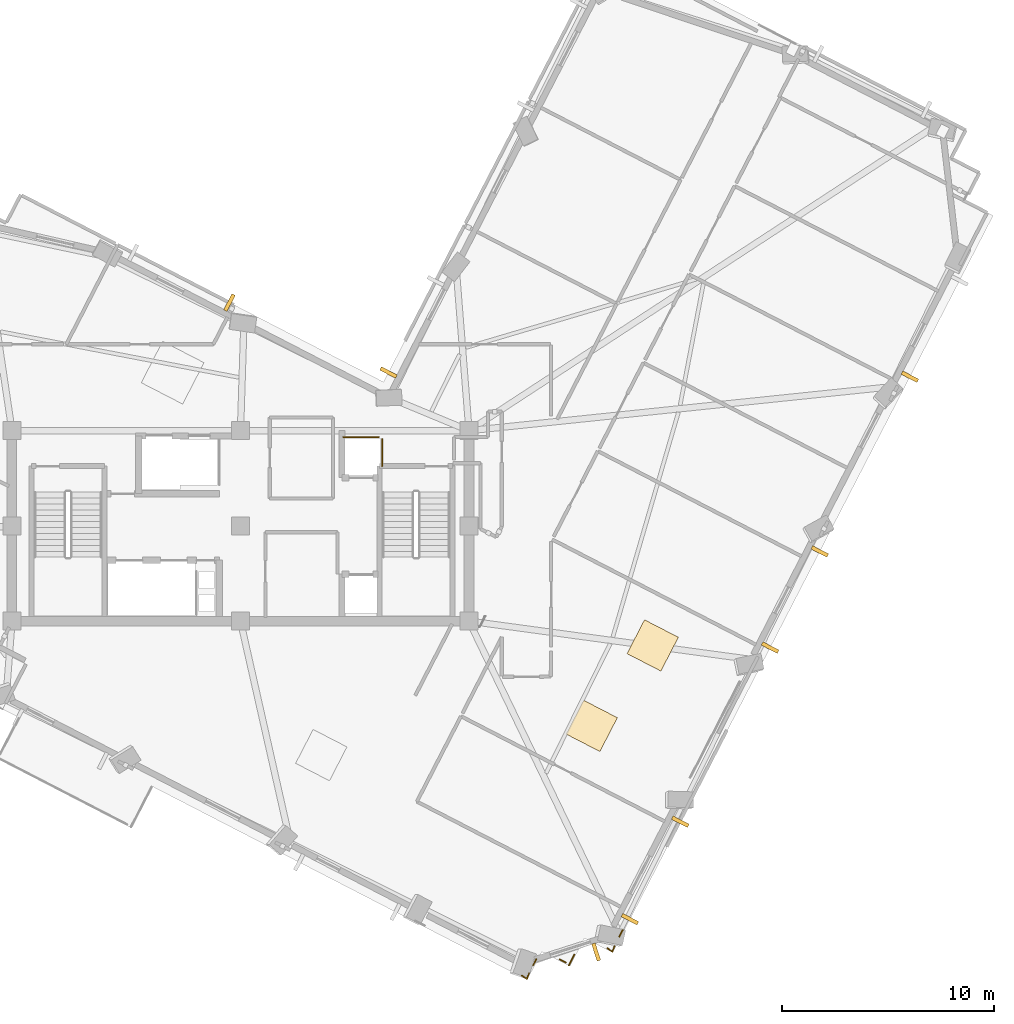
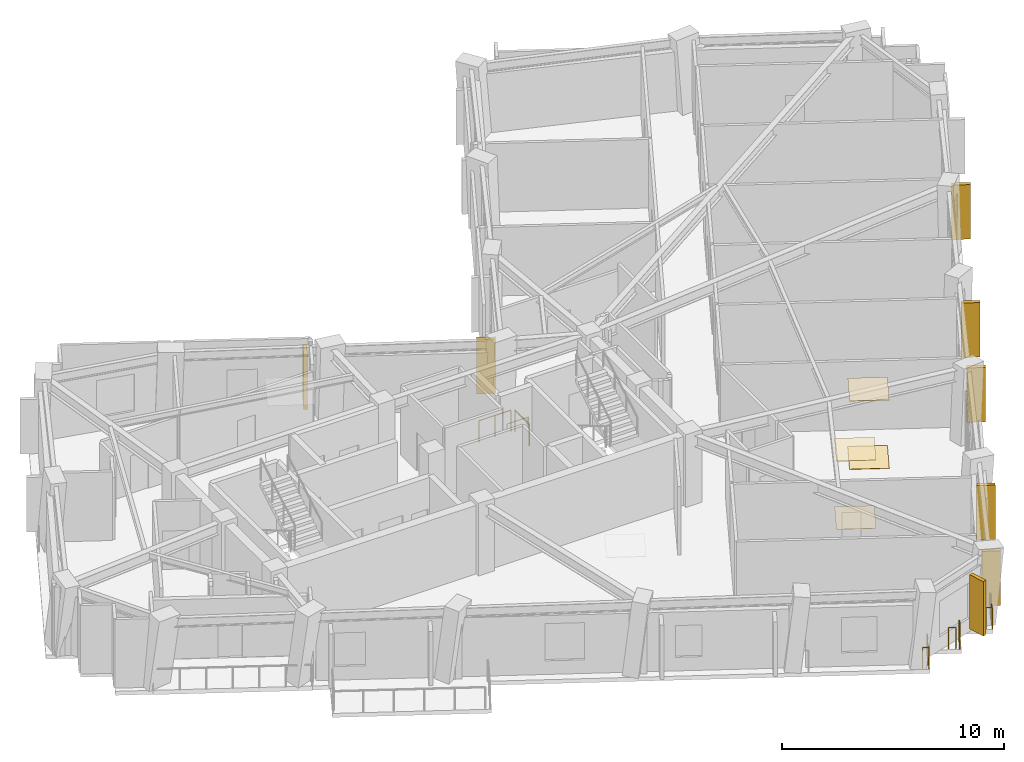
# One storey, part 10 of 11: 8 railings, 8 shading devices, 4 coverings.
"""IFC4 building model written with IfcOpenShell, lengths in metres."""

import ifcopenshell
import ifcopenshell.guid

model = None  # the IFC model being written
_history = None  # IfcOwnerHistory: only IFC2X3 demands one
_inside = {}  # id of a spatial element -> (the spatial element, [elements in it])
_under = {}  # id of a project, library or spatial element -> (it, [spatial elements below it])
_declared = {}  # id of a project -> (the project, [libraries it declares])
_typed = {}  # id of a type object -> (the type object, [elements of that type])
_made_of = {}  # id of a material, layer set ... -> (it, [elements and type objects made of it])


def new_model(schema):
    """Start an empty IFC model of exactly this schema.

    Asked for "IFC4X3", IfcOpenShell would pick the latest addendum, in which some entities
    have other attributes; the version numbers below select the first issue.
    IFC2X3 requires an IfcOwnerHistory on every rooted entity: one is made here for all.
    """
    global model, _history
    if schema == "IFC4X3":
        model = ifcopenshell.file(schema_version=(4, 3, 0, 0))
    else:
        model = ifcopenshell.file(schema=schema)
    _inside.clear()
    _under.clear()
    _declared.clear()
    _typed.clear()
    _made_of.clear()
    _history = None
    if model.schema == "IFC2X3":
        org = make("IfcOrganization", Name="unknown")
        user = make(
            "IfcPersonAndOrganization",
            ThePerson=make("IfcPerson", FamilyName="unknown"),
            TheOrganization=org,
        )
        app = make(
            "IfcApplication",
            ApplicationDeveloper=org,
            Version="unknown",
            ApplicationFullName="unknown",
            ApplicationIdentifier="unknown",
        )
        _history = make(
            "IfcOwnerHistory",
            OwningUser=user,
            OwningApplication=app,
            ChangeAction="ADDED",
            CreationDate=0,
        )
    return model


def make(cls, **values):
    """One entity of the class cls with the attributes given. An attribute that is None is left unset."""
    return model.create_entity(
        cls, **{name: value for name, value in values.items() if value is not None}
    )


def rooted(cls, **values):
    """An entity with a GlobalId (a new one), such as an element, a storey or a relation."""
    return make(cls, GlobalId=ifcopenshell.guid.new(), OwnerHistory=_history, **values)


def si_unit(unit_type, name, prefix=None):
    """IfcSIUnit, for example si_unit("LENGTHUNIT", "METRE", prefix="MILLI")."""
    return make("IfcSIUnit", UnitType=unit_type, Prefix=prefix, Name=name)


def assignment(units):
    """IfcUnitAssignment: the units of a project."""
    return None if units is None else make("IfcUnitAssignment", Units=units)


def point(xyz):
    """IfcCartesianPoint."""
    return None if xyz is None else make("IfcCartesianPoint", Coordinates=xyz)


def direction(xyz):
    """IfcDirection."""
    return None if xyz is None else make("IfcDirection", DirectionRatios=xyz)


def frame(location, z_axis=None, x_axis=None):
    """IfcAxis2Placement3D, a coordinate frame: its origin and axes. An axis left out is left unset."""
    return make(
        "IfcAxis2Placement3D",
        Location=point(location),
        Axis=direction(z_axis),
        RefDirection=direction(x_axis),
    )


def frame_2d(location, x_axis=None):
    """IfcAxis2Placement2D, a coordinate frame in the plane: its origin and x axis."""
    return make(
        "IfcAxis2Placement2D", Location=point(location), RefDirection=direction(x_axis)
    )


def origin():
    """The frame at (0, 0, 0) with its axes left unset."""
    return frame((0.0, 0.0, 0.0))


def origin_2d():
    """The frame at (0, 0) in the plane with its x axis left unset."""
    return frame_2d((0.0, 0.0))


def place(relative_to, where):
    """IfcLocalPlacement: puts the frame where relative to a parent placement (None: the world)."""
    return make(
        "IfcLocalPlacement", PlacementRelTo=relative_to, RelativePlacement=where
    )


def context(
    kind, dimensions, precision=None, world=None, true_north=None, identifier=None
):
    """IfcGeometricRepresentationContext, for example the 3D "Model" context."""
    return make(
        "IfcGeometricRepresentationContext",
        ContextIdentifier=identifier,
        ContextType=kind,
        CoordinateSpaceDimension=dimensions,
        Precision=precision,
        WorldCoordinateSystem=world,
        TrueNorth=true_north,
    )


def subcontext(parent, identifier, kind, view, scale=None):
    """IfcGeometricRepresentationSubContext, for example "Body" below "Model"."""
    return make(
        "IfcGeometricRepresentationSubContext",
        ContextIdentifier=identifier,
        ContextType=kind,
        ParentContext=parent,
        TargetScale=scale,
        TargetView=view,
    )


def project(units=None, contexts=None):
    """IfcProject with its units and contexts."""
    return rooted(
        "IfcProject",
        Name="project",
        RepresentationContexts=contexts,
        UnitsInContext=assignment(units),
    )


def spatial(cls, under=None, at=None, **own):
    """A site, building, storey or space (cls), placed at a placement, below another one or the project."""
    s = rooted(cls, ObjectPlacement=at, **own)
    if under is not None:
        _under.setdefault(under.id(), (under, []))[1].append(s)
    return s


def profile(cls, at=None, kind="AREA", **sizes):
    """A parametric profile (cls). Its sizes go by their IFC names, for example OverallWidth=200.0."""
    return make(cls, ProfileType=kind, Position=at, **sizes)


def rectangle(**sizes):
    """IfcRectangleProfileDef."""
    return profile("IfcRectangleProfileDef", **sizes)


def circle(**sizes):
    """IfcCircleProfileDef."""
    return profile("IfcCircleProfileDef", **sizes)


def extrude(swept, where, along, depth):
    """IfcExtrudedAreaSolid: the profile swept, set in the frame where, extruded along a direction by depth."""
    return make(
        "IfcExtrudedAreaSolid",
        SweptArea=swept,
        Position=where,
        ExtrudedDirection=direction(along),
        Depth=depth,
    )


def shape(context_of_items, identifier, shape_type, items):
    """IfcShapeRepresentation: the items that make up one representation, for example the "Body"."""
    return make(
        "IfcShapeRepresentation",
        ContextOfItems=context_of_items,
        RepresentationIdentifier=identifier,
        RepresentationType=shape_type,
        Items=items,
    )


def material(Name=None, Category=None):
    """IfcMaterial."""
    return make("IfcMaterial", Name=Name, Category=Category)


def layer(
    of_material, thickness, ventilated=None, Name=None, Category=None, Priority=None
):
    """IfcMaterialLayer: one layer of a wall or slab, of a material (None: an air gap)."""
    return make(
        "IfcMaterialLayer",
        Material=of_material,
        LayerThickness=thickness,
        IsVentilated=ventilated,
        Name=Name,
        Category=Category,
        Priority=Priority,
    )


def layer_set(layers, Name=None):
    """IfcMaterialLayerSet."""
    return make("IfcMaterialLayerSet", MaterialLayers=layers, LayerSetName=Name)


def made_of(thing, what):
    """Note that an element or type object is made of a material, layer set ...; save() writes the relation."""
    if what is not None:
        _made_of.setdefault(what.id(), (what, []))[1].append(thing)
    return thing


def type_object(cls, material=None, **own):
    """A type object (cls), such as IfcWallType, which elements share."""
    return made_of(rooted(cls, **own), material)


def element(
    cls,
    number,
    at=None,
    inside=None,
    cuts=None,
    type_object=None,
    material=None,
    context=None,
    identifier="Body",
    shape_type=None,
    held_by="IfcProductDefinitionShape",
    body=None,
    shapes=None,
    **own,
):
    """One element of the class cls, such as IfcWall. Its Tag is "e" and its number.

    at: its placement. inside: the storey or other place that contains it. cuts: it is an
    opening in that element (IfcRelVoidsElement). A single representation is given by context,
    identifier, shape_type and body (its items); several are given by shapes. held_by: the class
    of the entity that holds the representations. save() writes the other relations.
    """
    e = rooted(cls, Tag="e%d" % number, ObjectPlacement=at, **own)
    if body is not None:
        shapes = [shape(context, identifier, shape_type, body)]
    if shapes is not None:
        e.Representation = make(held_by, Representations=shapes)
    if inside is not None:
        _inside.setdefault(inside.id(), (inside, []))[1].append(e)
    if cuts is not None:
        rooted(
            "IfcRelVoidsElement", RelatingBuildingElement=cuts, RelatedOpeningElement=e
        )
    if type_object is not None:
        _typed.setdefault(type_object.id(), (type_object, []))[1].append(e)
    return made_of(e, material)


def aggregate(whole, parts):
    """IfcRelAggregates: a whole, such as a stair, and the parts it consists of."""
    return rooted("IfcRelAggregates", RelatingObject=whole, RelatedObjects=parts)


def save(model, path):
    """Write the relations noted so far, then the file.

    IfcRelAggregates (storeys below a building ...), IfcRelContainedInSpatialStructure (elements
    in a storey), IfcRelDefinesByType, IfcRelAssociatesMaterial and IfcRelDeclares: one each for
    every whole, place, type object, material and project.
    """
    for whole, parts in _under.values():
        aggregate(whole, parts)
    for where, things in _inside.values():
        rooted(
            "IfcRelContainedInSpatialStructure",
            RelatedElements=things,
            RelatingStructure=where,
        )
    for kind, things in _typed.values():
        rooted("IfcRelDefinesByType", RelatedObjects=things, RelatingType=kind)
    for what, things in _made_of.values():
        rooted("IfcRelAssociatesMaterial", RelatedObjects=things, RelatingMaterial=what)
    for by, libraries in _declared.values():
        rooted("IfcRelDeclares", RelatingContext=by, RelatedDefinitions=libraries)
    model.write(path)


model = new_model("IFC4")

# Units and contexts
model_context = context("Model", 3, precision=1e-05, world=origin(), true_north=direction((0.0, 1.0)))
body_context = subcontext(model_context, "Body", "Model", "MODEL_VIEW")
ifc_project = project(units=[si_unit("LENGTHUNIT", "METRE"), si_unit("AREAUNIT", "SQUARE_METRE"), si_unit("VOLUMEUNIT", "CUBIC_METRE"), si_unit("PLANEANGLEUNIT", "RADIAN"), si_unit("MASSUNIT", "GRAM", prefix="KILO")], contexts=[model_context])

# Site, building, storey
site_placement = place(None, origin())
site = spatial("IfcSite", under=ifc_project, at=site_placement, CompositionType="ELEMENT")
building_placement = place(site_placement, origin())
building = spatial("IfcBuilding", under=site, at=building_placement, Name="Gaonmaruhae Medical Tower", CompositionType="ELEMENT")
storey_placement = place(building_placement, frame((0.0, 0.0, 292.60009765625)))
storey = spatial("IfcBuildingStorey", under=building, at=storey_placement, Name="L70", CompositionType="ELEMENT", Elevation=292.60009765625)

# Coverings
ifc_material_1 = material(Name="Acoustic mineral ceiling tile", Category="finish")
ifc_layer_1 = layer(ifc_material_1, 0.02490234375)
ifc_layer_set_1 = layer_set([ifc_layer_1], Name="Acoustic mineral ceiling tile")
covering_type_1 = type_object("IfcCoveringType", Name="CLG-01 Antimicrobial Acoustic Mineral Ceiling", PredefinedType="CEILING", material=ifc_layer_set_1)
for number, where, z_axis, x_axis, name in (
    (1, (41.400146484375, 2.84716796875, 3.7548828125), (0.0, 0.0, 1.0), (0.458649554484, 0.888617232655, 0.0), "L70 Clinical Room Acoustic Ceiling 3"),
    (2, (44.2822265625, 6.648681640625, 3.7548828125), (0.0, 0.0, 1.0), (0.458649554484, 0.888617232655, 0.0), "L70 Clinical Room Acoustic Ceiling 4"),
):
    element("IfcCovering", number, at=place(storey_placement, frame(where, z_axis=z_axis, x_axis=x_axis)), inside=storey, type_object=covering_type_1, Name=name, PredefinedType="CEILING", context=body_context, shape_type="SweptSolid", body=[
        extrude(rectangle(XDim=1.800048828125, YDim=1.800048828125, at=origin_2d()), origin(), (0.0, 0.0, 1.0), 0.02490234375),
    ])
ifc_material_2 = material(Name="Seamless clinical vinyl flooring", Category="finish")
ifc_layer_2 = layer(ifc_material_2, 0.014892578125)
ifc_layer_set_2 = layer_set([ifc_layer_2], Name="Seamless clinical vinyl flooring")
covering_type_2 = type_object("IfcCoveringType", Name="FLR-01 Seamless Clinical Antistatic Vinyl Flooring", PredefinedType="FLOORING", material=ifc_layer_set_2)
for number, where, z_axis, x_axis, name in (
    (3, (41.400146484375, 2.84716796875, 0.0), (0.0, 0.0, 1.0), (0.458649554484, 0.888617232655, 0.0), "L70 Clinical Room Vinyl Flooring 3"),
    (4, (44.2822265625, 6.648681640625, 0.0), (0.0, 0.0, 1.0), (0.458649554484, 0.888617232655, 0.0), "L70 Clinical Room Vinyl Flooring 4"),
):
    element("IfcCovering", number, at=place(storey_placement, frame(where, z_axis=z_axis, x_axis=x_axis)), inside=storey, type_object=covering_type_2, Name=name, PredefinedType="FLOORING", context=body_context, shape_type="SweptSolid", body=[
        extrude(rectangle(XDim=1.800048828125, YDim=1.800048828125, at=origin_2d()), origin(), (0.0, 0.0, 1.0), 0.014892578125),
    ])

# Railings
ifc_material_3 = material(Name="Stainless steel 316L and laminated safety glass", Category="steel")
ifc_layer_3 = layer(ifc_material_3, 0.080078125)
ifc_layer_set_3 = layer_set([ifc_layer_3], Name="Stainless steel 316L and laminated safety glass")
railing_type_1 = type_object("IfcRailingType", Name="GD-120 Outdoor Terrace Safety Glass & Steel Balustrade", PredefinedType="BALUSTRADE", material=ifc_layer_set_3)
railing_1_placement = place(storey_placement, frame((42.863525390625, -6.810791015625, 0.0)))
element("IfcRailing", 5, at=railing_1_placement, inside=storey, type_object=railing_type_1, Name="L70 Perimeter Slab Edge Safety Balustrade 05", PredefinedType="BALUSTRADE", context=body_context, shape_type="SweptSolid", body=[
    extrude(circle(Radius=0.02392578125, at=origin_2d()), frame((0.0, 0.0, 1.17578125), z_axis=(-0.458679545407, -0.888601752544, 0.0), x_axis=(0.888601752544, -0.458679545407, 0.0)), (0.0, 0.0, 1.0), 0.339599609375),
    extrude(circle(Radius=0.02099609375, at=origin_2d()), origin(), (0.0, 0.0, 1.0), 1.15185546875),
    extrude(circle(Radius=0.02099609375, at=origin_2d()), frame((-0.15576171875, -0.3017578125, 0.0)), (0.0, 0.0, 1.0), 1.15185546875),
])
railing_2_placement = place(storey_placement, frame((40.5771484375, -7.97021484375, 0.0)))
element("IfcRailing", 6, at=railing_2_placement, inside=storey, type_object=railing_type_1, Name="L70 Perimeter Slab Edge Safety Balustrade 06", PredefinedType="BALUSTRADE", context=body_context, shape_type="SweptSolid", body=[
    extrude(circle(Radius=0.02392578125, at=origin_2d()), frame((0.0, 0.0, 1.17578125), z_axis=(-0.458687344677, -0.888597726665, 0.0), x_axis=(0.888597726665, -0.458687344677, 0.0)), (0.0, 0.0, 1.0), 0.56005859375),
    extrude(circle(Radius=0.02099609375, at=origin_2d()), origin(), (0.0, 0.0, 1.0), 1.15185546875),
    extrude(circle(Radius=0.02099609375, at=origin_2d()), frame((-0.2568359375, -0.49755859375, 0.0)), (0.0, 0.0, 1.0), 1.15185546875),
])
railing_3_placement = place(storey_placement, frame((40.180419921875, -8.339111328125, 0.0)))
element("IfcRailing", 7, at=railing_3_placement, inside=storey, type_object=railing_type_1, Name="L70 Perimeter Slab Edge Safety Balustrade 07", PredefinedType="BALUSTRADE", context=body_context, shape_type="SweptSolid", body=[
    extrude(circle(Radius=0.02392578125, at=origin_2d()), frame((0.0, 0.0, 1.17578125), z_axis=(-0.888983772334, 0.45793869953, 0.0), x_axis=(-0.45793869953, -0.888983772334, 0.0)), (0.0, 0.0, 1.0), 0.326904296875),
    extrude(circle(Radius=0.02099609375, at=origin_2d()), origin(), (0.0, 0.0, 1.0), 1.15185546875),
    extrude(circle(Radius=0.02099609375, at=origin_2d()), frame((-0.29052734375, 0.149658203125, 0.0)), (0.0, 0.0, 1.0), 1.15185546875),
])
railing_4_placement = place(storey_placement, frame((38.78564453125, -8.170654296875, 0.0)))
element("IfcRailing", 8, at=railing_4_placement, inside=storey, type_object=railing_type_1, Name="L70 Perimeter Slab Edge Safety Balustrade 08", PredefinedType="BALUSTRADE", context=body_context, shape_type="SweptSolid", body=[
    extrude(circle(Radius=0.02392578125, at=origin_2d()), frame((0.0, 0.0, 1.17578125), z_axis=(-0.458833261332, -0.88852239043, 0.0), x_axis=(0.88852239043, -0.458833261332, 0.0)), (0.0, 0.0, 1.0), 0.32666015625),
    extrude(circle(Radius=0.02099609375, at=origin_2d()), origin(), (0.0, 0.0, 1.0), 1.15185546875),
    extrude(circle(Radius=0.02099609375, at=origin_2d()), frame((-0.14990234375, -0.290283203125, 0.0)), (0.0, 0.0, 1.0), 1.15185546875),
])
railing_5_placement = place(storey_placement, frame((42.478759765625, -7.55615234375, 0.0)))
element("IfcRailing", 9, at=railing_5_placement, inside=storey, type_object=railing_type_1, Name="L70 Perimeter Corner Safety Balustrade 13", PredefinedType="BALUSTRADE", context=body_context, shape_type="SweptSolid", body=[
    extrude(circle(Radius=0.02392578125, at=origin_2d()), frame((0.0, 0.0, 1.17578125), z_axis=(-0.34692660925, -0.937892279419, 0.0), x_axis=(0.937892279419, -0.34692660925, 0.0)), (0.0, 0.0, 1.0), 0.287109375),
    extrude(circle(Radius=0.02392578125, at=origin_2d()), frame((-0.099609375, -0.269287109375, 1.17578125), z_axis=(-0.826119439728, 0.563495049938, 0.0), x_axis=(-0.563495049938, -0.826119439728, 0.0)), (0.0, 0.0, 1.0), 0.287353515625),
    extrude(circle(Radius=0.02099609375, at=origin_2d()), origin(), (0.0, 0.0, 1.0), 1.15185546875),
    extrude(circle(Radius=0.02099609375, at=origin_2d()), frame((-0.099609375, -0.269287109375, 0.0)), (0.0, 0.0, 1.0), 1.15185546875),
    extrude(circle(Radius=0.02099609375, at=origin_2d()), frame((-0.3369140625, -0.107421875, 0.0)), (0.0, 0.0, 1.0), 1.15185546875),
])
railing_6_placement = place(storey_placement, frame((38.43701171875, -8.845947265625, 0.0)))
element("IfcRailing", 10, at=railing_6_placement, inside=storey, type_object=railing_type_1, Name="L70 Perimeter Corner Safety Balustrade 14", PredefinedType="BALUSTRADE", context=body_context, shape_type="SweptSolid", body=[
    extrude(circle(Radius=0.02392578125, at=origin_2d()), frame((0.0, 0.0, 1.17578125), z_axis=(-0.34692660925, -0.937892279419, 0.0), x_axis=(0.937892279419, -0.34692660925, 0.0)), (0.0, 0.0, 1.0), 0.287109375),
    extrude(circle(Radius=0.02392578125, at=origin_2d()), frame((-0.099609375, -0.269287109375, 1.17578125), z_axis=(-0.826515073877, 0.562914587352, 0.0), x_axis=(-0.562914587352, -0.826515073877, 0.0)), (0.0, 0.0, 1.0), 0.287109375),
    extrude(circle(Radius=0.02099609375, at=origin_2d()), origin(), (0.0, 0.0, 1.0), 1.15185546875),
    extrude(circle(Radius=0.02099609375, at=origin_2d()), frame((-0.099609375, -0.269287109375, 0.0)), (0.0, 0.0, 1.0), 1.15185546875),
    extrude(circle(Radius=0.02099609375, at=origin_2d()), frame((-0.3369140625, -0.107666015625, 0.0)), (0.0, 0.0, 1.0), 1.15185546875),
])

# Shading devices
ifc_material_4 = material(Name="Pigmented coral precast concrete C45/55", Category="concrete")
shading_device_type = type_object("IfcShadingDeviceType", Name="SD-FIN1 Tower Vertical Coral Precast Shading Fin", PredefinedType="USERDEFINED", material=ifc_material_4)
for number, where, z_axis, x_axis, name in (
    (11, (45.583740234375, -1.68212890625, 0.13232421875), (0.0, 0.0, 1.0), (-0.458649554484, -0.888617232655, 0.0), "L70 Vertical Coral Precast Shading Fin S01"),
    (12, (43.205810546875, -6.289306640625, 0.13232421875), (0.0, 0.0, 1.0), (-0.458649554484, -0.888617232655, 0.0), "L70 Vertical Coral Precast Shading Fin S01B"),
    (13, (52.17626953125, 11.0908203125, 0.13232421875), (0.0, 0.0, 1.0), (-0.458649554484, -0.888617232655, 0.0), "L70 Vertical Coral Precast Shading Fin S03"),
    (14, (49.8310546875, 6.546875, 0.13232421875), (0.0, 0.0, 1.0), (-0.458649554484, -0.888617232655, 0.0), "L70 Vertical Coral Precast Shading Fin S03B"),
    (15, (56.438232421875, 19.347900390625, 0.13232421875), (0.0, 0.0, 1.0), (-0.458649554484, -0.888617232655, 0.0), "L70 Vertical Coral Precast Shading Fin S05B"),
    (16, (31.79541015625, 19.54833984375, 0.13232421875), (0.0, 0.0, 1.0), (0.458649554484, 0.888617232655, 0.0), "L70 Vertical Coral Precast Shading Fin EN02"),
    (17, (24.279541015625, 22.852783203125, 0.13232421875), (0.0, 0.0, 1.0), (0.888617232655, -0.458649554484, 0.0), "L70 Vertical Coral Precast Shading Fin NE01B"),
    (18, (41.609130859375, -7.841796875, 0.13232421875), (0.0, 0.0, 1.0), (-0.952661481254, -0.304033060925, 0.0), "L70 Vertical Coral Precast Shading Fin W06"),
):
    element("IfcShadingDevice", number, at=place(storey_placement, frame(where, z_axis=z_axis, x_axis=x_axis)), inside=storey, type_object=shading_device_type, Name=name, ObjectType="FIN", PredefinedType="USERDEFINED", context=body_context, shape_type="SweptSolid", body=[
        extrude(rectangle(XDim=0.179931640625, YDim=0.85009765625, at=origin_2d()), origin(), (0.0, 0.0, 1.0), 3.0),
    ])

# Railings
ifc_material_5 = material(Name="Stainless steel 304 balustrade", Category="steel")
railing_type_2 = type_object("IfcRailingType", Name="SG-112 Stair Well & Ramp Void Safety Balustrade", PredefinedType="BALUSTRADE", material=ifc_material_5)
railing_7_placement = place(storey_placement, frame((31.4951171875, 16.405029296875, 0.0)))
element("IfcRailing", 19, at=railing_7_placement, inside=storey, type_object=railing_type_2, Name="L70 Shaft Edge Safety Guard 17", PredefinedType="BALUSTRADE", context=body_context, shape_type="SweptSolid", body=[
    extrude(circle(Radius=0.02392578125, at=origin_2d()), frame((0.0, 0.0, 1.17578125), z_axis=(0.0, -1.0, 0.0), x_axis=(1.0, 0.0, 0.0)), (0.0, 0.0, 1.0), 1.284912109375),
    extrude(circle(Radius=0.02099609375, at=origin_2d()), origin(), (0.0, 0.0, 1.0), 1.15185546875),
    extrude(circle(Radius=0.02099609375, at=origin_2d()), frame((0.0, -1.284912109375, 0.0)), (0.0, 0.0, 1.0), 1.15185546875),
])
railing_8_placement = place(storey_placement, frame((29.6630859375, 16.4951171875, 0.0)))
element("IfcRailing", 20, at=railing_8_placement, inside=storey, type_object=railing_type_2, Name="L70 Shaft Edge Safety Guard 18", PredefinedType="BALUSTRADE", context=body_context, shape_type="SweptSolid", body=[
    extrude(circle(Radius=0.02392578125, at=origin_2d()), frame((0.0, 0.0, 1.17578125), z_axis=(1.0, 0.0, 0.0), x_axis=(0.0, 1.0, 0.0)), (0.0, 0.0, 1.0), 1.673828125),
    extrude(circle(Radius=0.02099609375, at=origin_2d()), origin(), (0.0, 0.0, 1.0), 1.15185546875),
    extrude(circle(Radius=0.02099609375, at=origin_2d()), frame((0.8369140625, 0.0, 0.0)), (0.0, 0.0, 1.0), 1.15185546875),
    extrude(circle(Radius=0.02099609375, at=origin_2d()), frame((1.673828125, 0.0, 0.0)), (0.0, 0.0, 1.0), 1.15185546875),
])

save(model, "model.ifc")
